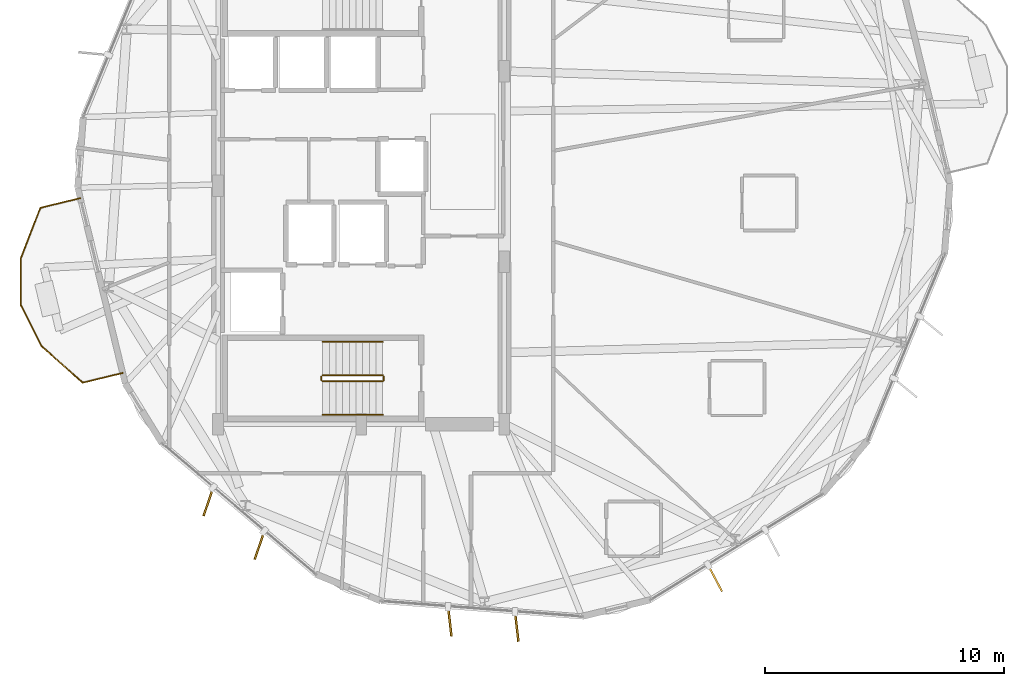
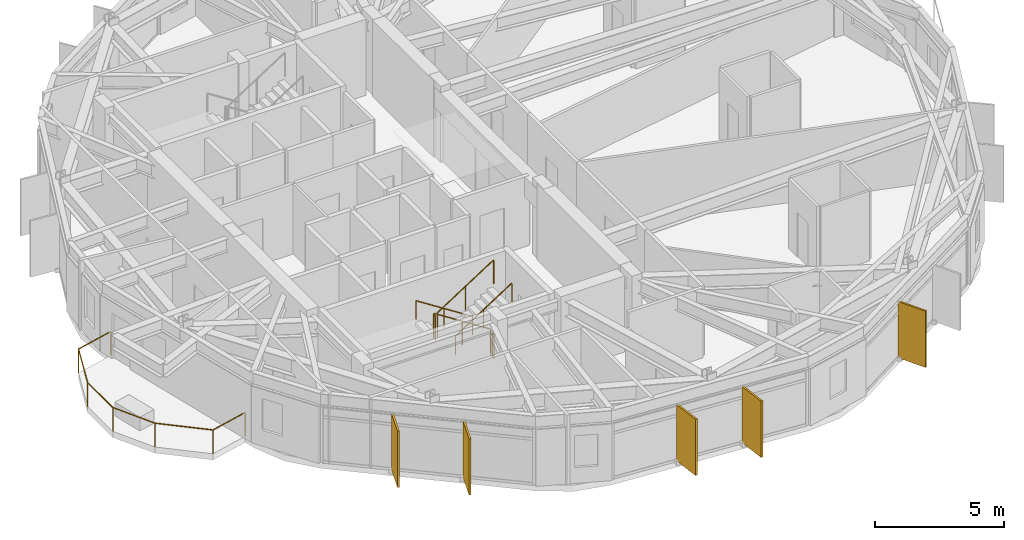
# One storey, part 18 of 21: 7 railings, 5 shading devices.
"""IFC4 building model written with IfcOpenShell, lengths in metres."""

from ifc_helpers import new_model, si_unit, direction, frame, origin, origin_2d, place, context, subcontext, project, spatial, rectangle, circle, extrude, material, layer, layer_set, type_object, element, save


model = new_model("IFC4")

# Units and contexts
model_context = context("Model", 3, precision=1e-05, world=origin(), true_north=direction((0.0, 1.0)))
body_context = subcontext(model_context, "Body", "Model", "MODEL_VIEW")
ifc_project = project(units=[si_unit("LENGTHUNIT", "METRE"), si_unit("AREAUNIT", "SQUARE_METRE"), si_unit("VOLUMEUNIT", "CUBIC_METRE"), si_unit("PLANEANGLEUNIT", "RADIAN"), si_unit("MASSUNIT", "GRAM", prefix="KILO")], contexts=[model_context])

# Site, building, storey
site_placement = place(None, origin())
site = spatial("IfcSite", under=ifc_project, at=site_placement, CompositionType="ELEMENT")
building_placement = place(site_placement, origin())
building = spatial("IfcBuilding", under=site, at=building_placement, Name="Soratama Intermodal Tower", CompositionType="ELEMENT")
storey_placement = place(building_placement, frame((0.0, 0.0, 149.800048828125)))
storey = spatial("IfcBuildingStorey", under=building, at=storey_placement, Name="L36", CompositionType="ELEMENT", Elevation=149.800048828125)

# Railings
ifc_material_1 = material(Name="Laminated glass and stainless steel balustrade", Category="steel")
railing_type_1 = type_object("IfcRailingType", Name="RL-BAL-1150", PredefinedType="BALUSTRADE", material=ifc_material_1)
railing_1_placement = place(storey_placement, frame((28.599609375, 17.14697265625, 0.0)))
element("IfcRailing", 1, at=railing_1_placement, inside=storey, type_object=railing_type_1, Name="L36 Balcony Balustrade 3", PredefinedType="BALUSTRADE", context=body_context, shape_type="SweptSolid", body=[
    extrude(circle(Radius=0.02392578125, at=origin_2d()), frame((0.0, 0.0, 1.1259765625), z_axis=(-0.97187865935, -0.235482210583, 0.0), x_axis=(0.235482210583, -0.97187865935, 0.0)), (0.0, 0.0, 1.0), 1.719970703125),
    extrude(circle(Radius=0.02392578125, at=origin_2d()), frame((-1.671630859375, -0.405029296875, 1.1259765625), z_axis=(-0.748206581318, 0.663465833086, 0.0), x_axis=(-0.663465833086, -0.748206581318, 0.0)), (0.0, 0.0, 1.0), 2.296142578125),
    extrude(circle(Radius=0.02392578125, at=origin_2d()), frame((-3.3896484375, 1.118408203125, 1.1259765625), z_axis=(-0.454305086689, 0.890846164165, 0.0), x_axis=(-0.890846164165, -0.454305086689, 0.0)), (0.0, 0.0, 1.0), 1.937744140625),
    extrude(circle(Radius=0.02392578125, at=origin_2d()), frame((-4.27001953125, 2.8447265625, 1.1259765625), z_axis=(-0.003779262504, 0.999992858562, 0.0), x_axis=(-0.999992858562, -0.003779262504, 0.0)), (0.0, 0.0, 1.0), 1.93798828125),
    extrude(circle(Radius=0.02392578125, at=origin_2d()), frame((-4.27734375, 4.78271484375, 1.1259765625), z_axis=(0.361542946324, 0.932355456874, 0.0), x_axis=(-0.932355456874, 0.361542946324, 0.0)), (0.0, 0.0, 1.0), 2.2958984375),
    extrude(circle(Radius=0.02392578125, at=origin_2d()), frame((-3.447265625, 6.92333984375, 1.1259765625), z_axis=(0.97187865935, 0.235482210583, 0.0), x_axis=(-0.235482210583, 0.97187865935, 0.0)), (0.0, 0.0, 1.0), 1.719970703125),
    extrude(circle(Radius=0.02099609375, at=origin_2d()), origin(), (0.0, 0.0, 1.0), 1.101806640625),
    extrude(circle(Radius=0.02099609375, at=origin_2d()), frame((-1.671630859375, -0.405029296875, 0.0)), (0.0, 0.0, 1.0), 1.101806640625),
    extrude(circle(Radius=0.02099609375, at=origin_2d()), frame((-3.3896484375, 1.118408203125, 0.0)), (0.0, 0.0, 1.0), 1.101806640625),
    extrude(circle(Radius=0.02099609375, at=origin_2d()), frame((-4.27001953125, 2.8447265625, 0.0)), (0.0, 0.0, 1.0), 1.101806640625),
    extrude(circle(Radius=0.02099609375, at=origin_2d()), frame((-4.27734375, 4.78271484375, 0.0)), (0.0, 0.0, 1.0), 1.101806640625),
    extrude(circle(Radius=0.02099609375, at=origin_2d()), frame((-3.447265625, 6.92333984375, 0.0)), (0.0, 0.0, 1.0), 1.101806640625),
    extrude(circle(Radius=0.02099609375, at=origin_2d()), frame((-1.775634765625, 7.328369140625, 0.0)), (0.0, 0.0, 1.0), 1.101806640625),
])
ifc_material_2 = material(Name="Painted steel stair guardrail", Category="steel")
railing_type_2 = type_object("IfcRailingType", Name="RL-STAIR-GUARD", PredefinedType="GUARDRAIL", material=ifc_material_2)
railing_2_placement = place(storey_placement, frame((39.5, 17.050048828125, 0.179931640625)))
element("IfcRailing", 2, at=railing_2_placement, inside=storey, type_object=railing_type_2, Name="L36 ST-1 stair guard 1", PredefinedType="GUARDRAIL", context=body_context, shape_type="SweptSolid", body=[
    extrude(circle(Radius=0.02392578125, at=origin_2d()), frame((0.0, 0.0, 1.1259765625), z_axis=(-0.841162588446, 0.0, 0.540782303519), x_axis=(0.0, -1.0, 0.0)), (0.0, 0.0, 1.0), 2.995849609375),
    extrude(circle(Radius=0.02099609375, at=origin_2d()), origin(), (0.0, 0.0, 1.0), 1.101806640625),
    extrude(circle(Radius=0.02099609375, at=origin_2d()), frame((-1.260009765625, 0.0, 0.81005859375)), (0.0, 0.0, 1.0), 1.101806640625),
    extrude(circle(Radius=0.02099609375, at=origin_2d()), frame((-2.52001953125, 0.0, 1.6201171875)), (0.0, 0.0, 1.0), 1.101806640625),
])
railing_3_placement = place(storey_placement, frame((36.929931640625, 17.0, 1.800048828125)))
element("IfcRailing", 3, at=railing_3_placement, inside=storey, type_object=railing_type_2, Name="L36 ST-1 stair guard 2", PredefinedType="GUARDRAIL", context=body_context, shape_type="SweptSolid", body=[
    extrude(circle(Radius=0.02392578125, at=origin_2d()), frame((0.0, 0.0, 1.1259765625), z_axis=(0.0, -1.0, 0.0), x_axis=(1.0, 0.0, 0.0)), (0.0, 0.0, 1.0), 0.14990234375),
    extrude(circle(Radius=0.02099609375, at=origin_2d()), origin(), (0.0, 0.0, 1.0), 1.101806640625),
    extrude(circle(Radius=0.02099609375, at=origin_2d()), frame((0.0, -0.14990234375, 0.0)), (0.0, 0.0, 1.0), 1.101806640625),
])
railing_4_placement = place(storey_placement, frame((36.97998046875, 16.800048828125, 1.97998046875)))
element("IfcRailing", 4, at=railing_4_placement, inside=storey, type_object=railing_type_2, Name="L36 ST-1 stair guard 3", PredefinedType="GUARDRAIL", context=body_context, shape_type="SweptSolid", body=[
    extrude(circle(Radius=0.02392578125, at=origin_2d()), frame((0.0, 0.0, 1.1259765625), z_axis=(0.841199657755, 0.0, 0.540724639528), x_axis=(0.0, 1.0, 0.0)), (0.0, 0.0, 1.0), 2.995849609375),
    extrude(circle(Radius=0.02099609375, at=origin_2d()), origin(), (0.0, 0.0, 1.0), 1.101806640625),
    extrude(circle(Radius=0.02099609375, at=origin_2d()), frame((1.260009765625, 0.0, 0.81005859375)), (0.0, 0.0, 1.0), 1.101806640625),
    extrude(circle(Radius=0.02099609375, at=origin_2d()), frame((2.52001953125, 0.0, 1.619873046875)), (0.0, 0.0, 1.0), 1.101806640625),
])
railing_5_placement = place(storey_placement, frame((39.550048828125, 17.0, 0.0)))
element("IfcRailing", 5, at=railing_5_placement, inside=storey, type_object=railing_type_2, Name="L36 ST-1 stair guard 4", PredefinedType="GUARDRAIL", context=body_context, shape_type="SweptSolid", body=[
    extrude(circle(Radius=0.02392578125, at=origin_2d()), frame((0.0, 0.0, 1.1259765625), z_axis=(0.0, -1.0, 0.0), x_axis=(1.0, 0.0, 0.0)), (0.0, 0.0, 1.0), 0.14990234375),
    extrude(circle(Radius=0.02099609375, at=origin_2d()), origin(), (0.0, 0.0, 1.0), 1.101806640625),
    extrude(circle(Radius=0.02099609375, at=origin_2d()), frame((0.0, -0.14990234375, 0.0)), (0.0, 0.0, 1.0), 1.101806640625),
])
ifc_material_3 = material(Name="Brushed stainless steel handrail", Category="steel")
railing_type_3 = type_object("IfcRailingType", Name="RL-STAIR-HAND", PredefinedType="HANDRAIL", material=ifc_material_3)
railing_6_placement = place(storey_placement, frame((39.5, 18.449951171875, 0.179931640625)))
element("IfcRailing", 6, at=railing_6_placement, inside=storey, type_object=railing_type_3, Name="L36 ST-1 stair handrail 1", PredefinedType="HANDRAIL", context=body_context, shape_type="SweptSolid", body=[
    extrude(circle(Radius=0.02392578125, at=origin_2d()), frame((0.0, 0.0, 0.8759765625), z_axis=(-0.841162588446, 0.0, 0.540782303519), x_axis=(0.0, -1.0, 0.0)), (0.0, 0.0, 1.0), 2.995849609375),
    extrude(circle(Radius=0.02099609375, at=origin_2d()), origin(), (0.0, 0.0, 1.0), 0.851806640625),
    extrude(circle(Radius=0.02099609375, at=origin_2d()), frame((-1.260009765625, 0.0, 0.81005859375)), (0.0, 0.0, 1.0), 0.851806640625),
    extrude(circle(Radius=0.02099609375, at=origin_2d()), frame((-2.52001953125, 0.0, 1.6201171875)), (0.0, 0.0, 1.0), 0.851806640625),
])
railing_7_placement = place(storey_placement, frame((36.97998046875, 15.39990234375, 1.97998046875)))
element("IfcRailing", 7, at=railing_7_placement, inside=storey, type_object=railing_type_3, Name="L36 ST-1 stair handrail 2", PredefinedType="HANDRAIL", context=body_context, shape_type="SweptSolid", body=[
    extrude(circle(Radius=0.02392578125, at=origin_2d()), frame((0.0, 0.0, 0.8759765625), z_axis=(0.841199657755, 0.0, 0.540724639528), x_axis=(0.0, 1.0, 0.0)), (0.0, 0.0, 1.0), 2.995849609375),
    extrude(circle(Radius=0.02099609375, at=origin_2d()), origin(), (0.0, 0.0, 1.0), 0.851806640625),
    extrude(circle(Radius=0.02099609375, at=origin_2d()), frame((1.260009765625, 0.0, 0.81005859375)), (0.0, 0.0, 1.0), 0.851806640625),
    extrude(circle(Radius=0.02099609375, at=origin_2d()), frame((2.52001953125, 0.0, 1.619873046875)), (0.0, 0.0, 1.0), 0.851806640625),
])

# Shading devices
ifc_material_4 = material(Name="Champagne anodised aluminium solar fin", Category="aluminium")
ifc_layer = layer(ifc_material_4, 0.080078125)
ifc_layer_set = layer_set([ifc_layer], Name="Champagne anodised aluminium solar fin")
shading_device_type = type_object("IfcShadingDeviceType", Name="SH-FIN-1250", PredefinedType="USERDEFINED", material=ifc_layer_set)
for number, where, z_axis, x_axis, name in (
    (8, (32.194091796875, 11.7509765625, 0.02001953125), (0.0, 0.0, 1.0), (-0.325568154457, -0.945518575599, 0.0), "L36 Solar Fin F06-1"),
    (9, (34.33740234375, 9.92822265625, 0.02001953125), (0.0, 0.0, 1.0), (-0.325568154457, -0.945518575599, 0.0), "L36 Solar Fin F06-2"),
    (10, (42.31201171875, 6.72998046875, 0.02001953125), (0.0, 0.0, 1.0), (0.113550028869, -0.993532279769, 0.0), "L36 Solar Fin F07-1"),
    (11, (45.117431640625, 6.51513671875, 0.02001953125), (0.0, 0.0, 1.0), (0.113550028869, -0.993532279769, 0.0), "L36 Solar Fin F07-2"),
    (12, (53.4296875, 8.544677734375, 0.02001953125), (0.0, 0.0, 1.0), (0.467467011537, -0.884010516411, 0.0), "L36 Solar Fin F08-1"),
):
    element("IfcShadingDevice", number, at=place(storey_placement, frame(where, z_axis=z_axis, x_axis=x_axis)), inside=storey, type_object=shading_device_type, Name=name, ObjectType="FIN", PredefinedType="USERDEFINED", context=body_context, shape_type="SweptSolid", body=[
        extrude(rectangle(XDim=1.25, YDim=0.080078125, at=origin_2d()), origin(), (0.0, 0.0, 1.0), 2.658935546875),
    ])

save(model, "model.ifc")
